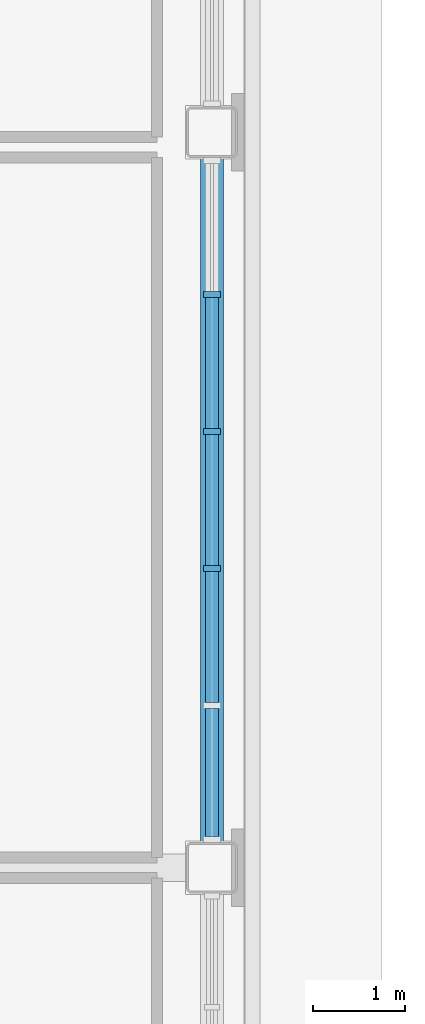
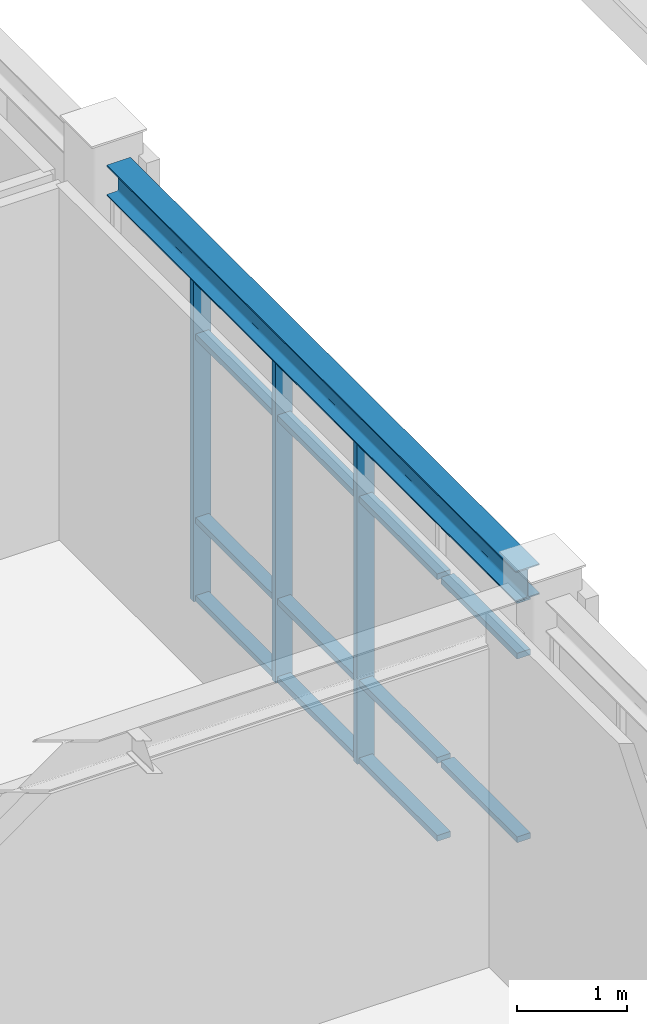
# One storey, part 13 of 64: 18 members, 1 beam, 1 element without a shape of its own.
"""IFC4 building model written with IfcOpenShell, lengths in metres."""

from ifc_helpers import new_model, si_unit, direction, frame, origin, origin_2d, place, context, subcontext, project, spatial, rectangle, i_section, extrude, material, material_profile, profile_set, type_object, element, aggregate, save


model = new_model("IFC4")

# Units and contexts
model_context = context("Model", 3, precision=1e-05, world=origin(), true_north=direction((0.0, 1.0)))
body_context = subcontext(model_context, "Body", "Model", "MODEL_VIEW")
ifc_project = project(units=[si_unit("LENGTHUNIT", "METRE"), si_unit("AREAUNIT", "SQUARE_METRE"), si_unit("VOLUMEUNIT", "CUBIC_METRE"), si_unit("PLANEANGLEUNIT", "RADIAN"), si_unit("MASSUNIT", "GRAM", prefix="KILO")], contexts=[model_context])

# Site, building, storey
site_placement = place(None, origin())
site = spatial("IfcSite", under=ifc_project, at=site_placement, CompositionType="ELEMENT")
building_placement = place(site_placement, origin())
building = spatial("IfcBuilding", under=site, at=building_placement, Name="Zhaolan Boulevard Law Courts", CompositionType="ELEMENT")
storey_placement = place(building_placement, frame((0.0, 0.0, 20.39990234375)))
storey = spatial("IfcBuildingStorey", under=building, at=storey_placement, Name="L04", CompositionType="ELEMENT", Elevation=20.39990234375)

# Curtain wall, members
ifc_material_1 = material(Name="Thermally broken aluminium and low-E glazing", Category="aluminium")
curtain_wall_type = type_object("IfcCurtainWallType", Name="CURTAIN WALL M7", PredefinedType="USERDEFINED", material=ifc_material_1)
curtain_wall_placement = place(storey_placement, origin())
curtain_wall = element("IfcCurtainWall", 1, at=curtain_wall_placement, inside=storey, type_object=curtain_wall_type, Name="Curtain Wall CW-L04-199", ObjectType="CURTAIN WALL", PredefinedType="USERDEFINED")
ifc_material_2 = material(Name="Fluorocarbon-coated aluminium 6063-T6", Category="aluminium")
ifc_material_profile_1 = material_profile(ifc_material_2, rectangle(XDim=0.179931640625, YDim=0.06494140625, at=origin_2d()), Name="AL65x180")
ifc_profile_set_1 = profile_set([ifc_material_profile_1], Name="Fluorocarbon-coated aluminium 6063-T6")
member_type_1 = type_object("IfcMemberType", Name="CWMULLION 65X180", PredefinedType="MULLION", material=ifc_profile_set_1)
member_1_placement = place(storey_placement, frame((44.0, 57.25537109375, 0.0), z_axis=(0.0, 0.0, 1.0), x_axis=(-1.0, 0.0, 0.0)))
member_1 = element("IfcMember", 2, at=member_1_placement, type_object=member_type_1, Name="CW-L04-199 mullion 3", PredefinedType="MULLION", context=body_context, shape_type="SweptSolid", body=[
    extrude(rectangle(XDim=0.179931640625, YDim=0.06494140625, at=origin_2d()), origin(), (0.0, 0.0, 1.0), 3.593017578125),
])
member_2_placement = place(storey_placement, frame((44.0, 58.74462890625, 0.0), z_axis=(0.0, 0.0, 1.0), x_axis=(-1.0, 0.0, 0.0)))
member_2 = element("IfcMember", 3, at=member_2_placement, type_object=member_type_1, Name="CW-L04-199 mullion 4", PredefinedType="MULLION", context=body_context, shape_type="SweptSolid", body=[
    extrude(rectangle(XDim=0.179931640625, YDim=0.06494140625, at=origin_2d()), origin(), (0.0, 0.0, 1.0), 3.593017578125),
])
member_3_placement = place(storey_placement, frame((44.0, 60.23388671875, 0.0), z_axis=(0.0, 0.0, 1.0), x_axis=(-1.0, 0.0, 0.0)))
member_3 = element("IfcMember", 4, at=member_3_placement, type_object=member_type_1, Name="CW-L04-199 mullion 5", PredefinedType="MULLION", context=body_context, shape_type="SweptSolid", body=[
    extrude(rectangle(XDim=0.179931640625, YDim=0.06494140625, at=origin_2d()), origin(), (0.0, 0.0, 1.0), 3.593017578125),
])
ifc_material_3 = material(Name="Fluorocarbon-coated aluminium 6063-T6", Category="aluminium")
ifc_material_profile_2 = material_profile(ifc_material_3, rectangle(XDim=0.139892578125, YDim=0.06494140625, at=origin_2d()), Name="AL65x140")
ifc_profile_set_2 = profile_set([ifc_material_profile_2], Name="Fluorocarbon-coated aluminium 6063-T6")
member_type_2 = type_object("IfcMemberType", Name="CWTRANSOM 65X140", PredefinedType="USERDEFINED", material=ifc_profile_set_2)
member_4_placement = place(storey_placement, frame((44.0, 54.342041015625, 0.900146484375), z_axis=(0.0, 1.0, 0.0), x_axis=(-1.0, 0.0, 0.0)))
member_4 = element("IfcMember", 5, at=member_4_placement, type_object=member_type_2, Name="CW-L04-199 transom 1.2", ObjectType="TRANSOM", PredefinedType="USERDEFINED", context=body_context, shape_type="SweptSolid", body=[
    extrude(rectangle(XDim=0.139892578125, YDim=0.06494140625, at=origin_2d()), origin(), (0.0, 0.0, 1.0), 1.3916015625),
])
member_5_placement = place(storey_placement, frame((44.0, 54.342041015625, 2.943115234375), z_axis=(0.0, 1.0, 0.0), x_axis=(-1.0, 0.0, 0.0)))
member_5 = element("IfcMember", 6, at=member_5_placement, type_object=member_type_2, Name="CW-L04-199 transom 1.3", ObjectType="TRANSOM", PredefinedType="USERDEFINED", context=body_context, shape_type="SweptSolid", body=[
    extrude(rectangle(XDim=0.139892578125, YDim=0.06494140625, at=origin_2d()), origin(), (0.0, 0.0, 1.0), 1.3916015625),
])
member_6_placement = place(storey_placement, frame((44.0, 54.342041015625, 3.560546875), z_axis=(0.0, 1.0, 0.0), x_axis=(-1.0, 0.0, 0.0)))
member_6 = element("IfcMember", 7, at=member_6_placement, type_object=member_type_2, Name="CW-L04-199 transom 1.4", ObjectType="TRANSOM", PredefinedType="USERDEFINED", context=body_context, shape_type="SweptSolid", body=[
    extrude(rectangle(XDim=0.139892578125, YDim=0.06494140625, at=origin_2d()), origin(), (0.0, 0.0, 1.0), 1.3916015625),
])
member_7_placement = place(storey_placement, frame((44.0, 55.798583984375, 0.03271484375), z_axis=(0.0, 1.0, 0.0), x_axis=(-1.0, 0.0, 0.0)))
member_7 = element("IfcMember", 8, at=member_7_placement, type_object=member_type_2, Name="CW-L04-199 transom 2.1", ObjectType="TRANSOM", PredefinedType="USERDEFINED", context=body_context, shape_type="SweptSolid", body=[
    extrude(rectangle(XDim=0.139892578125, YDim=0.06494140625, at=origin_2d()), origin(), (0.0, 0.0, 1.0), 1.42431640625),
])
member_8_placement = place(storey_placement, frame((44.0, 55.798583984375, 0.900146484375), z_axis=(0.0, 1.0, 0.0), x_axis=(-1.0, 0.0, 0.0)))
member_8 = element("IfcMember", 9, at=member_8_placement, type_object=member_type_2, Name="CW-L04-199 transom 2.2", ObjectType="TRANSOM", PredefinedType="USERDEFINED", context=body_context, shape_type="SweptSolid", body=[
    extrude(rectangle(XDim=0.139892578125, YDim=0.06494140625, at=origin_2d()), origin(), (0.0, 0.0, 1.0), 1.42431640625),
])
member_9_placement = place(storey_placement, frame((44.0, 55.798583984375, 2.943115234375), z_axis=(0.0, 1.0, 0.0), x_axis=(-1.0, 0.0, 0.0)))
member_9 = element("IfcMember", 10, at=member_9_placement, type_object=member_type_2, Name="CW-L04-199 transom 2.3", ObjectType="TRANSOM", PredefinedType="USERDEFINED", context=body_context, shape_type="SweptSolid", body=[
    extrude(rectangle(XDim=0.139892578125, YDim=0.06494140625, at=origin_2d()), origin(), (0.0, 0.0, 1.0), 1.42431640625),
])
member_10_placement = place(storey_placement, frame((44.0, 55.798583984375, 3.560546875), z_axis=(0.0, 1.0, 0.0), x_axis=(-1.0, 0.0, 0.0)))
member_10 = element("IfcMember", 11, at=member_10_placement, type_object=member_type_2, Name="CW-L04-199 transom 2.4", ObjectType="TRANSOM", PredefinedType="USERDEFINED", context=body_context, shape_type="SweptSolid", body=[
    extrude(rectangle(XDim=0.139892578125, YDim=0.06494140625, at=origin_2d()), origin(), (0.0, 0.0, 1.0), 1.42431640625),
])
member_11_placement = place(storey_placement, frame((44.0, 57.287841796875, 0.03271484375), z_axis=(0.0, 1.0, 0.0), x_axis=(-1.0, 0.0, 0.0)))
member_11 = element("IfcMember", 12, at=member_11_placement, type_object=member_type_2, Name="CW-L04-199 transom 3.1", ObjectType="TRANSOM", PredefinedType="USERDEFINED", context=body_context, shape_type="SweptSolid", body=[
    extrude(rectangle(XDim=0.139892578125, YDim=0.06494140625, at=origin_2d()), origin(), (0.0, 0.0, 1.0), 1.42431640625),
])
member_12_placement = place(storey_placement, frame((44.0, 57.287841796875, 0.900146484375), z_axis=(0.0, 1.0, 0.0), x_axis=(-1.0, 0.0, 0.0)))
member_12 = element("IfcMember", 13, at=member_12_placement, type_object=member_type_2, Name="CW-L04-199 transom 3.2", ObjectType="TRANSOM", PredefinedType="USERDEFINED", context=body_context, shape_type="SweptSolid", body=[
    extrude(rectangle(XDim=0.139892578125, YDim=0.06494140625, at=origin_2d()), origin(), (0.0, 0.0, 1.0), 1.42431640625),
])
member_13_placement = place(storey_placement, frame((44.0, 57.287841796875, 2.943115234375), z_axis=(0.0, 1.0, 0.0), x_axis=(-1.0, 0.0, 0.0)))
member_13 = element("IfcMember", 14, at=member_13_placement, type_object=member_type_2, Name="CW-L04-199 transom 3.3", ObjectType="TRANSOM", PredefinedType="USERDEFINED", context=body_context, shape_type="SweptSolid", body=[
    extrude(rectangle(XDim=0.139892578125, YDim=0.06494140625, at=origin_2d()), origin(), (0.0, 0.0, 1.0), 1.42431640625),
])
member_14_placement = place(storey_placement, frame((44.0, 57.287841796875, 3.560546875), z_axis=(0.0, 1.0, 0.0), x_axis=(-1.0, 0.0, 0.0)))
member_14 = element("IfcMember", 15, at=member_14_placement, type_object=member_type_2, Name="CW-L04-199 transom 3.4", ObjectType="TRANSOM", PredefinedType="USERDEFINED", context=body_context, shape_type="SweptSolid", body=[
    extrude(rectangle(XDim=0.139892578125, YDim=0.06494140625, at=origin_2d()), origin(), (0.0, 0.0, 1.0), 1.42431640625),
])
member_15_placement = place(storey_placement, frame((44.0, 58.777099609375, 0.03271484375), z_axis=(0.0, 1.0, 0.0), x_axis=(-1.0, 0.0, 0.0)))
member_15 = element("IfcMember", 16, at=member_15_placement, type_object=member_type_2, Name="CW-L04-199 transom 4.1", ObjectType="TRANSOM", PredefinedType="USERDEFINED", context=body_context, shape_type="SweptSolid", body=[
    extrude(rectangle(XDim=0.139892578125, YDim=0.06494140625, at=origin_2d()), origin(), (0.0, 0.0, 1.0), 1.42431640625),
])
member_16_placement = place(storey_placement, frame((44.0, 58.777099609375, 0.900146484375), z_axis=(0.0, 1.0, 0.0), x_axis=(-1.0, 0.0, 0.0)))
member_16 = element("IfcMember", 17, at=member_16_placement, type_object=member_type_2, Name="CW-L04-199 transom 4.2", ObjectType="TRANSOM", PredefinedType="USERDEFINED", context=body_context, shape_type="SweptSolid", body=[
    extrude(rectangle(XDim=0.139892578125, YDim=0.06494140625, at=origin_2d()), origin(), (0.0, 0.0, 1.0), 1.42431640625),
])
member_17_placement = place(storey_placement, frame((44.0, 58.777099609375, 2.943115234375), z_axis=(0.0, 1.0, 0.0), x_axis=(-1.0, 0.0, 0.0)))
member_17 = element("IfcMember", 18, at=member_17_placement, type_object=member_type_2, Name="CW-L04-199 transom 4.3", ObjectType="TRANSOM", PredefinedType="USERDEFINED", context=body_context, shape_type="SweptSolid", body=[
    extrude(rectangle(XDim=0.139892578125, YDim=0.06494140625, at=origin_2d()), origin(), (0.0, 0.0, 1.0), 1.42431640625),
])
member_18_placement = place(storey_placement, frame((44.0, 58.777099609375, 3.560546875), z_axis=(0.0, 1.0, 0.0), x_axis=(-1.0, 0.0, 0.0)))
member_18 = element("IfcMember", 19, at=member_18_placement, type_object=member_type_2, Name="CW-L04-199 transom 4.4", ObjectType="TRANSOM", PredefinedType="USERDEFINED", context=body_context, shape_type="SweptSolid", body=[
    extrude(rectangle(XDim=0.139892578125, YDim=0.06494140625, at=origin_2d()), origin(), (0.0, 0.0, 1.0), 1.42431640625),
])
aggregate(curtain_wall, [member_1, member_2, member_3, member_4, member_5, member_6, member_7, member_8, member_9, member_10, member_11, member_12, member_13, member_14, member_15, member_16, member_17, member_18])

# Beam
ifc_material_4 = material(Name="Structural steel Q355B", Category="steel")
ifc_material_profile_3 = material_profile(ifc_material_4, i_section(OverallWidth=0.25, OverallDepth=0.340087890625, WebThickness=0.009033203125, FlangeThickness=0.013916015625, FilletRadius=0.01611328125, at=origin_2d()), Name="HM340x250")
ifc_profile_set_3 = profile_set([ifc_material_profile_3], Name="Structural steel Q355B")
beam_type = type_object("IfcBeamType", Name="GIRDER HM340", PredefinedType="BEAM", material=ifc_profile_set_3)
beam_placement = place(storey_placement, frame((44.0, 54.27099609375, 3.778076171875), z_axis=(0.0, 1.0, 0.0), x_axis=(-1.0, 0.0, 0.0)))
element("IfcBeam", 20, at=beam_placement, inside=storey, type_object=beam_type, Name="Beam BY-L05-6-H-J", PredefinedType="BEAM", context=body_context, shape_type="SweptSolid", body=[
    extrude(i_section(OverallWidth=0.25, OverallDepth=0.340087890625, WebThickness=0.009033203125, FlangeThickness=0.013916015625, FilletRadius=0.01611328125, at=origin_2d()), origin(), (0.0, 0.0, 1.0), 7.4580078125),
])

save(model, "model.ifc")
